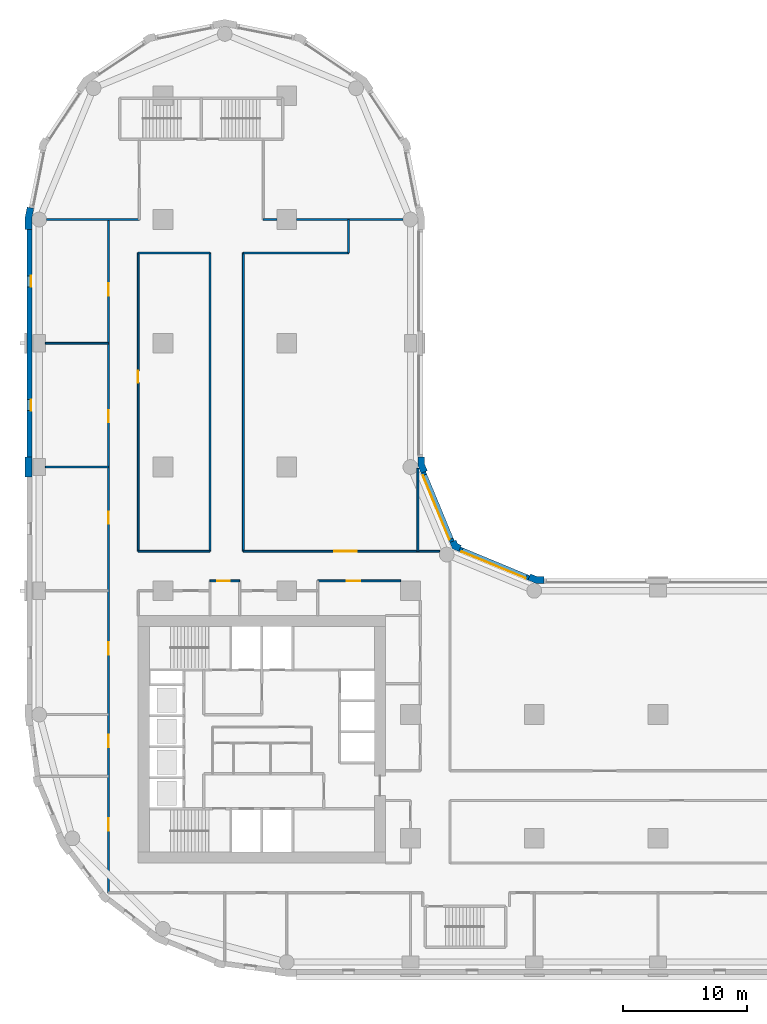
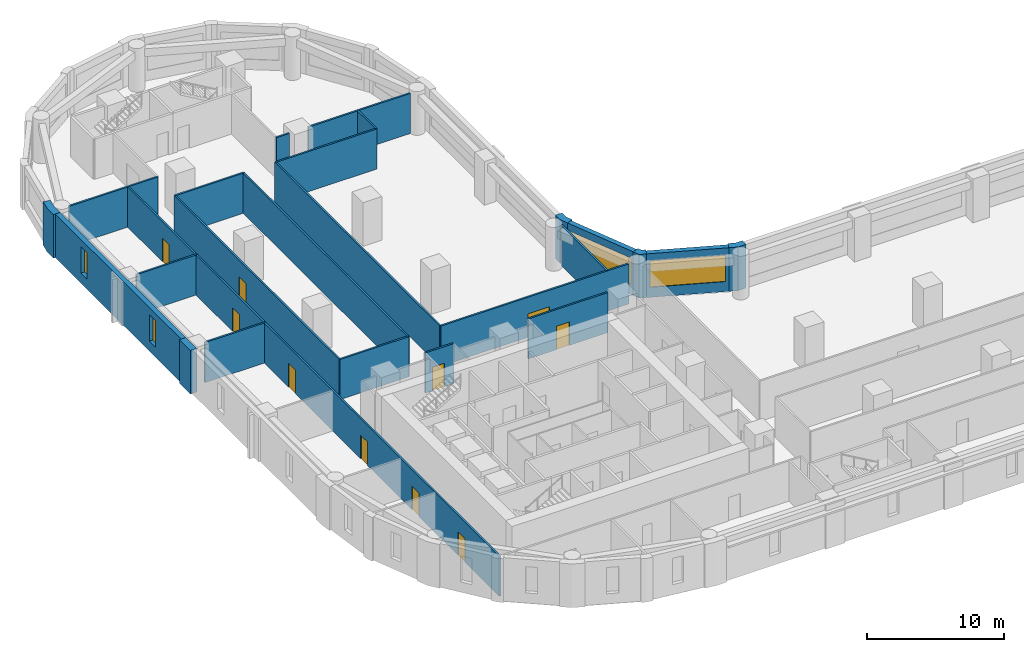
# One storey, part 5 of 10: 25 walls, 10 doors, 4 windows, 14 openings.
"""IFC4 building model written with IfcOpenShell, lengths in metres."""

import ifcopenshell
import ifcopenshell.guid

model = None  # the IFC model being written
_history = None  # IfcOwnerHistory: only IFC2X3 demands one
_inside = {}  # id of a spatial element -> (the spatial element, [elements in it])
_under = {}  # id of a project, library or spatial element -> (it, [spatial elements below it])
_declared = {}  # id of a project -> (the project, [libraries it declares])
_typed = {}  # id of a type object -> (the type object, [elements of that type])
_made_of = {}  # id of a material, layer set ... -> (it, [elements and type objects made of it])


def new_model(schema):
    """Start an empty IFC model of exactly this schema.

    Asked for "IFC4X3", IfcOpenShell would pick the latest addendum, in which some entities
    have other attributes; the version numbers below select the first issue.
    IFC2X3 requires an IfcOwnerHistory on every rooted entity: one is made here for all.
    """
    global model, _history
    if schema == "IFC4X3":
        model = ifcopenshell.file(schema_version=(4, 3, 0, 0))
    else:
        model = ifcopenshell.file(schema=schema)
    _inside.clear()
    _under.clear()
    _declared.clear()
    _typed.clear()
    _made_of.clear()
    _history = None
    if model.schema == "IFC2X3":
        org = make("IfcOrganization", Name="unknown")
        user = make(
            "IfcPersonAndOrganization",
            ThePerson=make("IfcPerson", FamilyName="unknown"),
            TheOrganization=org,
        )
        app = make(
            "IfcApplication",
            ApplicationDeveloper=org,
            Version="unknown",
            ApplicationFullName="unknown",
            ApplicationIdentifier="unknown",
        )
        _history = make(
            "IfcOwnerHistory",
            OwningUser=user,
            OwningApplication=app,
            ChangeAction="ADDED",
            CreationDate=0,
        )
    return model


def make(cls, **values):
    """One entity of the class cls with the attributes given. An attribute that is None is left unset."""
    return model.create_entity(
        cls, **{name: value for name, value in values.items() if value is not None}
    )


def rooted(cls, **values):
    """An entity with a GlobalId (a new one), such as an element, a storey or a relation."""
    return make(cls, GlobalId=ifcopenshell.guid.new(), OwnerHistory=_history, **values)


def si_unit(unit_type, name, prefix=None):
    """IfcSIUnit, for example si_unit("LENGTHUNIT", "METRE", prefix="MILLI")."""
    return make("IfcSIUnit", UnitType=unit_type, Prefix=prefix, Name=name)


def assignment(units):
    """IfcUnitAssignment: the units of a project."""
    return None if units is None else make("IfcUnitAssignment", Units=units)


def point(xyz):
    """IfcCartesianPoint."""
    return None if xyz is None else make("IfcCartesianPoint", Coordinates=xyz)


def direction(xyz):
    """IfcDirection."""
    return None if xyz is None else make("IfcDirection", DirectionRatios=xyz)


def frame(location, z_axis=None, x_axis=None):
    """IfcAxis2Placement3D, a coordinate frame: its origin and axes. An axis left out is left unset."""
    return make(
        "IfcAxis2Placement3D",
        Location=point(location),
        Axis=direction(z_axis),
        RefDirection=direction(x_axis),
    )


def frame_2d(location, x_axis=None):
    """IfcAxis2Placement2D, a coordinate frame in the plane: its origin and x axis."""
    return make(
        "IfcAxis2Placement2D", Location=point(location), RefDirection=direction(x_axis)
    )


def origin():
    """The frame at (0, 0, 0) with its axes left unset."""
    return frame((0.0, 0.0, 0.0))


def place(relative_to, where):
    """IfcLocalPlacement: puts the frame where relative to a parent placement (None: the world)."""
    return make(
        "IfcLocalPlacement", PlacementRelTo=relative_to, RelativePlacement=where
    )


def context(
    kind, dimensions, precision=None, world=None, true_north=None, identifier=None
):
    """IfcGeometricRepresentationContext, for example the 3D "Model" context."""
    return make(
        "IfcGeometricRepresentationContext",
        ContextIdentifier=identifier,
        ContextType=kind,
        CoordinateSpaceDimension=dimensions,
        Precision=precision,
        WorldCoordinateSystem=world,
        TrueNorth=true_north,
    )


def subcontext(parent, identifier, kind, view, scale=None):
    """IfcGeometricRepresentationSubContext, for example "Body" below "Model"."""
    return make(
        "IfcGeometricRepresentationSubContext",
        ContextIdentifier=identifier,
        ContextType=kind,
        ParentContext=parent,
        TargetScale=scale,
        TargetView=view,
    )


def project(units=None, contexts=None):
    """IfcProject with its units and contexts."""
    return rooted(
        "IfcProject",
        Name="project",
        RepresentationContexts=contexts,
        UnitsInContext=assignment(units),
    )


def spatial(cls, under=None, at=None, **own):
    """A site, building, storey or space (cls), placed at a placement, below another one or the project."""
    s = rooted(cls, ObjectPlacement=at, **own)
    if under is not None:
        _under.setdefault(under.id(), (under, []))[1].append(s)
    return s


def polyline(points):
    """IfcPolyline through the points."""
    return make("IfcPolyline", Points=[point(p) for p in points])


def profile(cls, at=None, kind="AREA", **sizes):
    """A parametric profile (cls). Its sizes go by their IFC names, for example OverallWidth=200.0."""
    return make(cls, ProfileType=kind, Position=at, **sizes)


def rectangle(**sizes):
    """IfcRectangleProfileDef."""
    return profile("IfcRectangleProfileDef", **sizes)


def outline(outer, holes=None, kind="AREA"):
    """IfcArbitraryClosedProfileDef: a profile drawn as a closed curve; with holes, ...WithVoids."""
    if holes is None:
        return make("IfcArbitraryClosedProfileDef", ProfileType=kind, OuterCurve=outer)
    return make(
        "IfcArbitraryProfileDefWithVoids",
        ProfileType=kind,
        OuterCurve=outer,
        InnerCurves=holes,
    )


def extrude(swept, where, along, depth):
    """IfcExtrudedAreaSolid: the profile swept, set in the frame where, extruded along a direction by depth."""
    return make(
        "IfcExtrudedAreaSolid",
        SweptArea=swept,
        Position=where,
        ExtrudedDirection=direction(along),
        Depth=depth,
    )


def shape(context_of_items, identifier, shape_type, items):
    """IfcShapeRepresentation: the items that make up one representation, for example the "Body"."""
    return make(
        "IfcShapeRepresentation",
        ContextOfItems=context_of_items,
        RepresentationIdentifier=identifier,
        RepresentationType=shape_type,
        Items=items,
    )


def material(Name=None, Category=None):
    """IfcMaterial."""
    return make("IfcMaterial", Name=Name, Category=Category)


def layer(
    of_material, thickness, ventilated=None, Name=None, Category=None, Priority=None
):
    """IfcMaterialLayer: one layer of a wall or slab, of a material (None: an air gap)."""
    return make(
        "IfcMaterialLayer",
        Material=of_material,
        LayerThickness=thickness,
        IsVentilated=ventilated,
        Name=Name,
        Category=Category,
        Priority=Priority,
    )


def layer_set(layers, Name=None):
    """IfcMaterialLayerSet."""
    return make("IfcMaterialLayerSet", MaterialLayers=layers, LayerSetName=Name)


def made_of(thing, what):
    """Note that an element or type object is made of a material, layer set ...; save() writes the relation."""
    if what is not None:
        _made_of.setdefault(what.id(), (what, []))[1].append(thing)
    return thing


def type_object(cls, material=None, **own):
    """A type object (cls), such as IfcWallType, which elements share."""
    return made_of(rooted(cls, **own), material)


def element(
    cls,
    number,
    at=None,
    inside=None,
    cuts=None,
    type_object=None,
    material=None,
    context=None,
    identifier="Body",
    shape_type=None,
    held_by="IfcProductDefinitionShape",
    body=None,
    shapes=None,
    **own,
):
    """One element of the class cls, such as IfcWall. Its Tag is "e" and its number.

    at: its placement. inside: the storey or other place that contains it. cuts: it is an
    opening in that element (IfcRelVoidsElement). A single representation is given by context,
    identifier, shape_type and body (its items); several are given by shapes. held_by: the class
    of the entity that holds the representations. save() writes the other relations.
    """
    e = rooted(cls, Tag="e%d" % number, ObjectPlacement=at, **own)
    if body is not None:
        shapes = [shape(context, identifier, shape_type, body)]
    if shapes is not None:
        e.Representation = make(held_by, Representations=shapes)
    if inside is not None:
        _inside.setdefault(inside.id(), (inside, []))[1].append(e)
    if cuts is not None:
        rooted(
            "IfcRelVoidsElement", RelatingBuildingElement=cuts, RelatedOpeningElement=e
        )
    if type_object is not None:
        _typed.setdefault(type_object.id(), (type_object, []))[1].append(e)
    return made_of(e, material)


def fill(opening, filler):
    """IfcRelFillsElement: the door or window that sits in an opening."""
    return rooted(
        "IfcRelFillsElement",
        RelatingOpeningElement=opening,
        RelatedBuildingElement=filler,
    )


def aggregate(whole, parts):
    """IfcRelAggregates: a whole, such as a stair, and the parts it consists of."""
    return rooted("IfcRelAggregates", RelatingObject=whole, RelatedObjects=parts)


def save(model, path):
    """Write the relations noted so far, then the file.

    IfcRelAggregates (storeys below a building ...), IfcRelContainedInSpatialStructure (elements
    in a storey), IfcRelDefinesByType, IfcRelAssociatesMaterial and IfcRelDeclares: one each for
    every whole, place, type object, material and project.
    """
    for whole, parts in _under.values():
        aggregate(whole, parts)
    for where, things in _inside.values():
        rooted(
            "IfcRelContainedInSpatialStructure",
            RelatedElements=things,
            RelatingStructure=where,
        )
    for kind, things in _typed.values():
        rooted("IfcRelDefinesByType", RelatedObjects=things, RelatingType=kind)
    for what, things in _made_of.values():
        rooted("IfcRelAssociatesMaterial", RelatedObjects=things, RelatingMaterial=what)
    for by, libraries in _declared.values():
        rooted("IfcRelDeclares", RelatingContext=by, RelatedDefinitions=libraries)
    model.write(path)


model = new_model("IFC4")

# Units and contexts
model_context = context("Model", 3, precision=1e-05, world=origin(), true_north=direction((0.0, 1.0)))
body_context = subcontext(model_context, "Body", "Model", "MODEL_VIEW")
ifc_project = project(units=[si_unit("LENGTHUNIT", "METRE"), si_unit("AREAUNIT", "SQUARE_METRE"), si_unit("VOLUMEUNIT", "CUBIC_METRE"), si_unit("PLANEANGLEUNIT", "RADIAN"), si_unit("MASSUNIT", "GRAM", prefix="KILO")], contexts=[model_context])

# Site, building, storey
site_placement = place(None, origin())
site = spatial("IfcSite", under=ifc_project, at=site_placement, CompositionType="ELEMENT")
building_placement = place(site_placement, origin())
building = spatial("IfcBuilding", under=site, at=building_placement, Name="Qaws Garden Tower", CompositionType="ELEMENT")
storey_placement = place(building_placement, frame((0.0, 0.0, 51.0)))
storey = spatial("IfcBuildingStorey", under=building, at=storey_placement, Name="L12", CompositionType="ELEMENT", Elevation=51.0)

# Wall, opening, window
ifc_material_1 = material(Name="Clay facing brick masonry", Category="masonry")
ifc_layer_1 = layer(ifc_material_1, 0.39990234375)
ifc_layer_set_1 = layer_set([ifc_layer_1], Name="Clay facing brick masonry")
wall_type_1 = type_object("IfcWallType", Name="Brick infill wall 400", PredefinedType="SOLIDWALL", material=ifc_layer_set_1)
wall_1_placement = place(storey_placement, frame((39.56689453125, 31.04541015625, 0.0), z_axis=(0.0, 0.0, 1.0), x_axis=(-0.923891000409, 0.382655745237, 0.0)))
wall_1 = element("IfcWall", 1, at=wall_1_placement, inside=storey, type_object=wall_type_1, Name="E-L12-infill-11", PredefinedType="SOLIDWALL", context=body_context, shape_type="SweptSolid", body=[
    extrude(rectangle(XDim=6.053466796875, YDim=0.39990234375, at=frame_2d((3.02685546875, 0.0))), origin(), (0.0, 0.0, 1.0), 3.89990234375),
])
opening_1_placement = place(wall_1_placement, frame((0.226806640625, 0.0, 0.89990234375)))
opening_1 = element("IfcOpeningElement", 2, at=opening_1_placement, cuts=wall_1, Name="Opening W04", PredefinedType="OPENING", context=body_context, shape_type="SweptSolid", body=[
    extrude(rectangle(XDim=5.60009765625, YDim=2.35009765625, at=frame_2d((2.800048828125, 1.175048828125))), frame((0.0, 0.2099609375, 0.0), z_axis=(0.0, -1.0, 0.0), x_axis=(1.0, 0.0, 0.0)), (0.0, 0.0, 1.0), 0.419921875),
])
ifc_material_2 = material(Name="Aluminium framed window, clear glazing", Category="aluminium")
window_type_1 = type_object("IfcWindowType", Name="Ribbon window 5600 x 2350", PartitioningType="DOUBLE_PANEL_VERTICAL", PredefinedType="WINDOW", material=ifc_material_2)
window_1_placement = place(opening_1_placement, origin())
window_1 = element("IfcWindow", 3, at=window_1_placement, inside=storey, type_object=window_type_1, Name="E-L12-window-11-0", OverallHeight=2.35009765625, OverallWidth=5.60009765625, PartitioningType="SINGLE_PANEL", PredefinedType="WINDOW", context=body_context, shape_type="SweptSolid", body=[
    extrude(rectangle(XDim=5.60009765625, YDim=2.35009765625, at=frame_2d((2.800048828125, 1.175048828125))), frame((0.0, 0.159912109375, 0.0), z_axis=(0.0, -1.0, 0.0), x_axis=(1.0, 0.0, 0.0)), (0.0, 0.0, 1.0), 0.06005859375),
])
fill(opening_1, window_1)

wall_2_placement = place(storey_placement, frame((33.36181640625, 33.97412109375, 0.0), z_axis=(0.0, 0.0, 1.0), x_axis=(-0.382655745237, 0.923891000409, 0.0)))
wall_2 = element("IfcWall", 4, at=wall_2_placement, inside=storey, type_object=wall_type_1, Name="E-L12-infill-12", PredefinedType="SOLIDWALL", context=body_context, shape_type="SweptSolid", body=[
    extrude(rectangle(XDim=6.053466796875, YDim=0.39990234375, at=frame_2d((3.02685546875, 0.0))), origin(), (0.0, 0.0, 1.0), 3.89990234375),
])
opening_2_placement = place(wall_2_placement, frame((0.226806640625, 0.0, 0.89990234375)))
opening_2 = element("IfcOpeningElement", 5, at=opening_2_placement, cuts=wall_2, Name="Opening W04", PredefinedType="OPENING", context=body_context, shape_type="SweptSolid", body=[
    extrude(rectangle(XDim=5.60009765625, YDim=2.35009765625, at=frame_2d((2.800048828125, 1.175048828125))), frame((0.0, 0.2099609375, 0.0), z_axis=(0.0, -1.0, 0.0), x_axis=(1.0, 0.0, 0.0)), (0.0, 0.0, 1.0), 0.419921875),
])
window_2_placement = place(opening_2_placement, origin())
window_2 = element("IfcWindow", 6, at=window_2_placement, inside=storey, type_object=window_type_1, Name="E-L12-window-12-0", OverallHeight=2.35009765625, OverallWidth=5.60009765625, PartitioningType="SINGLE_PANEL", PredefinedType="WINDOW", context=body_context, shape_type="SweptSolid", body=[
    extrude(rectangle(XDim=5.60009765625, YDim=2.35009765625, at=frame_2d((2.800048828125, 1.175048828125))), frame((0.0, 0.159912109375, 0.0), z_axis=(0.0, -1.0, 0.0), x_axis=(1.0, 0.0, 0.0)), (0.0, 0.0, 1.0), 0.06005859375),
])
fill(opening_2, window_2)

# Wall, openings, windows
wall_3_placement = place(storey_placement, frame((-0.800048828125, 59.199951171875, 0.0), z_axis=(0.0, 0.0, 1.0), x_axis=(0.0, -1.0, 0.0)))
wall_3 = element("IfcWall", 7, at=wall_3_placement, inside=storey, type_object=wall_type_1, Name="E-L12-infill-23", PredefinedType="SOLIDWALL", context=body_context, shape_type="SweptSolid", body=[
    extrude(rectangle(XDim=18.39990234375, YDim=0.39990234375, at=frame_2d((9.199951171875, 0.0))), origin(), (0.0, 0.0, 1.0), 3.89990234375),
])
opening_3_placement = place(wall_3_placement, frame((3.75, 0.0, 0.89990234375)))
opening_3 = element("IfcOpeningElement", 8, at=opening_3_placement, cuts=wall_3, Name="Opening W09", PredefinedType="OPENING", context=body_context, shape_type="SweptSolid", body=[
    extrude(rectangle(XDim=0.89990234375, YDim=2.35009765625, at=frame_2d((0.449951171875, 1.175048828125))), frame((0.0, 0.2099609375, 0.0), z_axis=(0.0, -1.0, 0.0), x_axis=(1.0, 0.0, 0.0)), (0.0, 0.0, 1.0), 0.419921875),
])
opening_4_placement = place(wall_3_placement, frame((13.75, 0.0, 0.89990234375)))
opening_4 = element("IfcOpeningElement", 9, at=opening_4_placement, cuts=wall_3, Name="Opening W09", PredefinedType="OPENING", context=body_context, shape_type="SweptSolid", body=[
    extrude(rectangle(XDim=0.89990234375, YDim=2.35009765625, at=frame_2d((0.449951171875, 1.175048828125))), frame((0.0, 0.2099609375, 0.0), z_axis=(0.0, -1.0, 0.0), x_axis=(1.0, 0.0, 0.0)), (0.0, 0.0, 1.0), 0.419921875),
])
ifc_material_3 = material(Name="Aluminium framed window, clear glazing", Category="aluminium")
window_type_2 = type_object("IfcWindowType", Name="Slit window 900 x 2350", PartitioningType="SINGLE_PANEL", PredefinedType="WINDOW", material=ifc_material_3)
window_3_placement = place(opening_3_placement, origin())
window_3 = element("IfcWindow", 10, at=window_3_placement, inside=storey, type_object=window_type_2, Name="E-L12-window-23-0", OverallHeight=2.35009765625, OverallWidth=0.89990234375, PartitioningType="SINGLE_PANEL", PredefinedType="WINDOW", context=body_context, shape_type="SweptSolid", body=[
    extrude(rectangle(XDim=0.89990234375, YDim=2.35009765625, at=frame_2d((0.449951171875, 1.175048828125))), frame((0.0, 0.159912109375, 0.0), z_axis=(0.0, -1.0, 0.0), x_axis=(1.0, 0.0, 0.0)), (0.0, 0.0, 1.0), 0.06005859375),
])
fill(opening_3, window_3)
window_4_placement = place(opening_4_placement, origin())
window_4 = element("IfcWindow", 11, at=window_4_placement, inside=storey, type_object=window_type_2, Name="E-L12-window-24-0", OverallHeight=2.35009765625, OverallWidth=0.89990234375, PartitioningType="SINGLE_PANEL", PredefinedType="WINDOW", context=body_context, shape_type="SweptSolid", body=[
    extrude(rectangle(XDim=0.89990234375, YDim=2.35009765625, at=frame_2d((0.449951171875, 1.175048828125))), frame((0.0, 0.159912109375, 0.0), z_axis=(0.0, -1.0, 0.0), x_axis=(1.0, 0.0, 0.0)), (0.0, 0.0, 1.0), 0.06005859375),
])
fill(opening_4, window_4)

# Walls
ifc_material_4 = material(Name="Clay facing brick masonry", Category="masonry")
ifc_layer_2 = layer(ifc_material_4, 0.550048828125)
ifc_layer_set_2 = layer_set([ifc_layer_2], Name="Clay facing brick masonry")
wall_type_2 = type_object("IfcWallType", Name="Brick pier 550 x 1600", PredefinedType="SOLIDWALL", material=ifc_layer_set_2)
placement = place(storey_placement, origin())
element("IfcWall", 12, at=placement, inside=storey, type_object=wall_type_2, Name="E-L12-pier-11", PredefinedType="SOLIDWALL", context=body_context, shape_type="SweptSolid", body=[
    extrude(outline(polyline([(40.800048828125, 31.0), (40.800048828125, 31.14990234375), (40.228759765625, 31.14990234375), (39.700927734375, 31.36865234375), (39.6435546875, 31.22998046875), (39.490478515625, 30.860595703125), (40.119384765625, 30.60009765625), (40.800048828125, 30.60009765625), (40.800048828125, 31.0)])), origin(), (0.0, 0.0, 1.0), 3.89990234375),
])
element("IfcWall", 13, at=placement, inside=storey, type_object=wall_type_2, Name="E-L12-pier-12", PredefinedType="SOLIDWALL", context=body_context, shape_type="SweptSolid", body=[
    extrude(outline(polyline([(34.05078125, 33.546630859375), (34.108154296875, 33.685302734375), (33.80908203125, 33.80908203125), (33.685302734375, 34.108154296875), (33.546630859375, 34.05078125), (33.177001953125, 33.897705078125), (33.38818359375, 33.38818359375), (33.897705078125, 33.177001953125), (34.05078125, 33.546630859375)])), origin(), (0.0, 0.0, 1.0), 3.89990234375),
])
element("IfcWall", 14, at=placement, inside=storey, type_object=wall_type_2, Name="E-L12-pier-13", PredefinedType="SOLIDWALL", context=body_context, shape_type="SweptSolid", body=[
    extrude(outline(polyline([(31.22998046875, 39.6435546875), (31.36865234375, 39.700927734375), (31.14990234375, 40.228759765625), (31.14990234375, 40.800048828125), (31.0, 40.800048828125), (30.60009765625, 40.800048828125), (30.60009765625, 40.119384765625), (30.860595703125, 39.490478515625), (31.22998046875, 39.6435546875)])), origin(), (0.0, 0.0, 1.0), 3.89990234375),
])
element("IfcWall", 15, at=placement, inside=storey, type_object=wall_type_2, Name="E-L12-pier-23", PredefinedType="SOLIDWALL", context=body_context, shape_type="SweptSolid", body=[
    extrude(outline(polyline([(-0.82470703125, 60.979736328125), (-0.971923828125, 61.009033203125), (-1.14990234375, 60.11328125), (-1.14990234375, 59.199951171875), (-1.0, 59.199951171875), (-0.60009765625, 59.199951171875), (-0.60009765625, 60.05908203125), (-0.432373046875, 60.901611328125), (-0.82470703125, 60.979736328125)])), origin(), (0.0, 0.0, 1.0), 3.89990234375),
])
element("IfcWall", 16, at=placement, inside=storey, type_object=wall_type_2, Name="E-L12-pier-25", PredefinedType="SOLIDWALL", context=body_context, shape_type="SweptSolid", body=[
    extrude(outline(polyline([(-1.0, 40.800048828125), (-1.14990234375, 40.800048828125), (-1.14990234375, 40.0), (-1.14990234375, 39.199951171875), (-1.0, 39.199951171875), (-0.60009765625, 39.199951171875), (-0.60009765625, 40.0), (-0.60009765625, 40.800048828125), (-1.0, 40.800048828125)])), origin(), (0.0, 0.0, 1.0), 3.89990234375),
])

# Wall, openings, doors
ifc_material_5 = material(Name="Gypsum board partition")
ifc_layer_3 = layer(ifc_material_5, 0.14990234375)
ifc_layer_set_3 = layer_set([ifc_layer_3], Name="Gypsum board partition")
wall_type_3 = type_object("IfcWallType", Name="PARTITION 150 EI 60", PredefinedType="PARTITIONING", material=ifc_layer_set_3)
wall_9_placement = place(storey_placement, frame((5.60009765625, 5.60009765625, 0.0), z_axis=(0.0, 0.0, 1.0), x_axis=(0.0, 1.0, 0.0)))
wall_9 = element("IfcWall", 17, at=wall_9_placement, inside=storey, type_object=wall_type_3, Name="O-L12-wall-001", PredefinedType="PARTITIONING", context=body_context, shape_type="SweptSolid", body=[
    extrude(rectangle(XDim=54.39990234375, YDim=0.14990234375, at=frame_2d((27.199951171875, 0.0))), origin(), (0.0, 0.0, 1.0), 3.580078125),
])
opening_5_placement = place(wall_9_placement, frame((5.0, 0.0, 0.0)))
opening_5 = element("IfcOpeningElement", 18, at=opening_5_placement, cuts=wall_9, Name="Opening A401", PredefinedType="OPENING", context=body_context, shape_type="SweptSolid", body=[
    extrude(rectangle(XDim=1.0, YDim=2.10009765625, at=frame_2d((0.5, 1.050048828125))), frame((0.0, 0.0849609375, 0.0), z_axis=(0.0, -1.0, 0.0), x_axis=(1.0, 0.0, 0.0)), (0.0, 0.0, 1.0), 0.169921875),
])
opening_6_placement = place(wall_9_placement, frame((11.75, 0.0, 0.0)))
opening_6 = element("IfcOpeningElement", 19, at=opening_6_placement, cuts=wall_9, Name="Opening A402", PredefinedType="OPENING", context=body_context, shape_type="SweptSolid", body=[
    extrude(rectangle(XDim=1.0, YDim=2.10009765625, at=frame_2d((0.5, 1.050048828125))), frame((0.0, 0.0849609375, 0.0), z_axis=(0.0, -1.0, 0.0), x_axis=(1.0, 0.0, 0.0)), (0.0, 0.0, 1.0), 0.169921875),
])
opening_7_placement = place(wall_9_placement, frame((19.25, 0.0, 0.0)))
opening_7 = element("IfcOpeningElement", 20, at=opening_7_placement, cuts=wall_9, Name="Opening A413", PredefinedType="OPENING", context=body_context, shape_type="SweptSolid", body=[
    extrude(rectangle(XDim=1.0, YDim=2.10009765625, at=frame_2d((0.5, 1.050048828125))), frame((0.0, 0.0849609375, 0.0), z_axis=(0.0, -1.0, 0.0), x_axis=(1.0, 0.0, 0.0)), (0.0, 0.0, 1.0), 0.169921875),
])
opening_8_placement = place(wall_9_placement, frame((29.800048828125, 0.0, 0.0)))
opening_8 = element("IfcOpeningElement", 21, at=opening_8_placement, cuts=wall_9, Name="Opening A418", PredefinedType="OPENING", context=body_context, shape_type="SweptSolid", body=[
    extrude(rectangle(XDim=1.0, YDim=2.10009765625, at=frame_2d((0.5, 1.050048828125))), frame((0.0, 0.0849609375, 0.0), z_axis=(0.0, -1.0, 0.0), x_axis=(1.0, 0.0, 0.0)), (0.0, 0.0, 1.0), 0.169921875),
])
opening_9_placement = place(wall_9_placement, frame((38.0, 0.0, 0.0)))
opening_9 = element("IfcOpeningElement", 22, at=opening_9_placement, cuts=wall_9, Name="Opening A419", PredefinedType="OPENING", context=body_context, shape_type="SweptSolid", body=[
    extrude(rectangle(XDim=1.0, YDim=2.10009765625, at=frame_2d((0.5, 1.050048828125))), frame((0.0, 0.0849609375, 0.0), z_axis=(0.0, -1.0, 0.0), x_axis=(1.0, 0.0, 0.0)), (0.0, 0.0, 1.0), 0.169921875),
])
opening_10_placement = place(wall_9_placement, frame((48.25, 0.0, 0.0)))
opening_10 = element("IfcOpeningElement", 23, at=opening_10_placement, cuts=wall_9, Name="Opening A420", PredefinedType="OPENING", context=body_context, shape_type="SweptSolid", body=[
    extrude(rectangle(XDim=1.0, YDim=2.10009765625, at=frame_2d((0.5, 1.050048828125))), frame((0.0, 0.0849609375, 0.0), z_axis=(0.0, -1.0, 0.0), x_axis=(1.0, 0.0, 0.0)), (0.0, 0.0, 1.0), 0.169921875),
])
ifc_material_6 = material(Name="Timber door leaf", Category="wood")
door_type_1 = type_object("IfcDoorType", Name="TENANCY ENTRANCE DOOR 1000 X 2100", OperationType="SINGLE_SWING_LEFT", PredefinedType="DOOR", material=ifc_material_6)
door_1_placement = place(opening_5_placement, origin())
door_1 = element("IfcDoor", 24, at=door_1_placement, inside=storey, type_object=door_type_1, Name="O-L12-door-001", OperationType="SINGLE_SWING_RIGHT", OverallHeight=2.10009765625, OverallWidth=1.0, PredefinedType="DOOR", context=body_context, shape_type="SweptSolid", body=[
    extrude(rectangle(XDim=1.0, YDim=2.10009765625, at=frame_2d((0.5, 1.050048828125))), frame((0.0, 0.02490234375, 0.0), z_axis=(0.0, -1.0, 0.0), x_axis=(1.0, 0.0, 0.0)), (0.0, 0.0, 1.0), 0.050048828125),
])
fill(opening_5, door_1)
door_2_placement = place(opening_6_placement, origin())
door_2 = element("IfcDoor", 25, at=door_2_placement, inside=storey, type_object=door_type_1, Name="O-L12-door-002", OperationType="SINGLE_SWING_RIGHT", OverallHeight=2.10009765625, OverallWidth=1.0, PredefinedType="DOOR", context=body_context, shape_type="SweptSolid", body=[
    extrude(rectangle(XDim=1.0, YDim=2.10009765625, at=frame_2d((0.5, 1.050048828125))), frame((0.0, 0.02490234375, 0.0), z_axis=(0.0, -1.0, 0.0), x_axis=(1.0, 0.0, 0.0)), (0.0, 0.0, 1.0), 0.050048828125),
])
fill(opening_6, door_2)
door_3_placement = place(opening_7_placement, origin())
door_3 = element("IfcDoor", 26, at=door_3_placement, inside=storey, type_object=door_type_1, Name="O-L12-door-013", OperationType="SINGLE_SWING_RIGHT", OverallHeight=2.10009765625, OverallWidth=1.0, PredefinedType="DOOR", context=body_context, shape_type="SweptSolid", body=[
    extrude(rectangle(XDim=1.0, YDim=2.10009765625, at=frame_2d((0.5, 1.050048828125))), frame((0.0, 0.02490234375, 0.0), z_axis=(0.0, -1.0, 0.0), x_axis=(1.0, 0.0, 0.0)), (0.0, 0.0, 1.0), 0.050048828125),
])
fill(opening_7, door_3)
door_4_placement = place(opening_8_placement, origin())
door_4 = element("IfcDoor", 27, at=door_4_placement, inside=storey, type_object=door_type_1, Name="O-L12-door-018", OperationType="SINGLE_SWING_LEFT", OverallHeight=2.10009765625, OverallWidth=1.0, PredefinedType="DOOR", context=body_context, shape_type="SweptSolid", body=[
    extrude(rectangle(XDim=1.0, YDim=2.10009765625, at=frame_2d((0.5, 1.050048828125))), frame((0.0, 0.02490234375, 0.0), z_axis=(0.0, -1.0, 0.0), x_axis=(1.0, 0.0, 0.0)), (0.0, 0.0, 1.0), 0.050048828125),
])
fill(opening_8, door_4)
door_5_placement = place(opening_9_placement, origin())
door_5 = element("IfcDoor", 28, at=door_5_placement, inside=storey, type_object=door_type_1, Name="O-L12-door-019", OperationType="SINGLE_SWING_LEFT", OverallHeight=2.10009765625, OverallWidth=1.0, PredefinedType="DOOR", context=body_context, shape_type="SweptSolid", body=[
    extrude(rectangle(XDim=1.0, YDim=2.10009765625, at=frame_2d((0.5, 1.050048828125))), frame((0.0, 0.02490234375, 0.0), z_axis=(0.0, -1.0, 0.0), x_axis=(1.0, 0.0, 0.0)), (0.0, 0.0, 1.0), 0.050048828125),
])
fill(opening_9, door_5)
door_6_placement = place(opening_10_placement, origin())
door_6 = element("IfcDoor", 29, at=door_6_placement, inside=storey, type_object=door_type_1, Name="O-L12-door-020", OperationType="SINGLE_SWING_LEFT", OverallHeight=2.10009765625, OverallWidth=1.0, PredefinedType="DOOR", context=body_context, shape_type="SweptSolid", body=[
    extrude(rectangle(XDim=1.0, YDim=2.10009765625, at=frame_2d((0.5, 1.050048828125))), frame((0.0, 0.02490234375, 0.0), z_axis=(0.0, -1.0, 0.0), x_axis=(1.0, 0.0, 0.0)), (0.0, 0.0, 1.0), 0.050048828125),
])
fill(opening_10, door_6)

# Wall, opening, door
wall_10_placement = place(storey_placement, frame((8.0, 33.199951171875, 0.0), z_axis=(0.0, 0.0, 1.0), x_axis=(0.0, 1.0, 0.0)))
wall_10 = element("IfcWall", 30, at=wall_10_placement, inside=storey, type_object=wall_type_3, Name="O-L12-wall-003", PredefinedType="PARTITIONING", context=body_context, shape_type="SweptSolid", body=[
    extrude(rectangle(XDim=24.10009765625, YDim=0.14990234375, at=frame_2d((12.050048828125, 0.0))), origin(), (0.0, 0.0, 1.0), 3.580078125),
])
opening_11_placement = place(wall_10_placement, frame((13.60009765625, 0.0, 0.0)))
opening_11 = element("IfcOpeningElement", 31, at=opening_11_placement, cuts=wall_10, Name="Opening A414", PredefinedType="OPENING", context=body_context, shape_type="SweptSolid", body=[
    extrude(rectangle(XDim=1.0, YDim=2.10009765625, at=frame_2d((0.5, 1.050048828125))), frame((0.0, 0.0849609375, 0.0), z_axis=(0.0, -1.0, 0.0), x_axis=(1.0, 0.0, 0.0)), (0.0, 0.0, 1.0), 0.169921875),
])
door_7_placement = place(opening_11_placement, frame((1.0, 0.0, 0.0), z_axis=(0.0, 0.0, 1.0), x_axis=(-1.0, 0.0, 0.0)))
door_7 = element("IfcDoor", 32, at=door_7_placement, inside=storey, type_object=door_type_1, Name="O-L12-door-014", OperationType="SINGLE_SWING_RIGHT", OverallHeight=2.10009765625, OverallWidth=1.0, PredefinedType="DOOR", context=body_context, shape_type="SweptSolid", body=[
    extrude(rectangle(XDim=1.0, YDim=2.10009765625, at=frame_2d((0.5, 1.050048828125))), frame((0.0, 0.02490234375, 0.0), z_axis=(0.0, -1.0, 0.0), x_axis=(1.0, 0.0, 0.0)), (0.0, 0.0, 1.0), 0.050048828125),
])
fill(opening_11, door_7)

# Walls
for number, where, z_axis, x_axis, name in (
    (33, (13.800048828125, 33.199951171875, 0.0), (0.0, 0.0, 1.0), (0.0, 1.0, 0.0), "O-L12-wall-006"),
    (34, (16.5, 33.199951171875, 0.0), (0.0, 0.0, 1.0), (0.0, 1.0, 0.0), "O-L12-wall-009"),
):
    element("IfcWall", number, at=place(storey_placement, frame(where, z_axis=z_axis, x_axis=x_axis)), inside=storey, type_object=wall_type_3, Name=name, PredefinedType="PARTITIONING", context=body_context, shape_type="SweptSolid", body=[
        extrude(rectangle(XDim=24.10009765625, YDim=0.14990234375, at=frame_2d((12.050048828125, 0.0))), origin(), (0.0, 0.0, 1.0), 3.580078125),
    ])
wall_11_placement = place(storey_placement, frame((25.0, 57.300048828125, 0.0), z_axis=(0.0, 0.0, 1.0), x_axis=(0.0, 1.0, 0.0)))
element("IfcWall", 35, at=wall_11_placement, inside=storey, type_object=wall_type_3, Name="O-L12-wall-013", PredefinedType="PARTITIONING", context=body_context, shape_type="SweptSolid", body=[
    extrude(rectangle(XDim=2.699951171875, YDim=0.14990234375, at=frame_2d((1.35009765625, 0.0))), origin(), (0.0, 0.0, 1.0), 3.580078125),
])
wall_12_placement = place(storey_placement, frame((30.60009765625, 33.199951171875, 0.0), z_axis=(0.0, 0.0, 1.0), x_axis=(0.0, 1.0, 0.0)))
element("IfcWall", 36, at=wall_12_placement, inside=storey, type_object=wall_type_3, Name="O-L12-wall-017", PredefinedType="PARTITIONING", context=body_context, shape_type="SweptSolid", body=[
    extrude(rectangle(XDim=6.698974609375, YDim=0.14990234375, at=frame_2d((3.349609375, 0.0))), origin(), (0.0, 0.0, 1.0), 3.580078125),
])

# Wall, opening, door
wall_13_placement = place(storey_placement, frame((13.800048828125, 30.800048828125, 0.0), z_axis=(0.0, 0.0, 1.0), x_axis=(1.0, 0.0, 0.0)))
wall_13 = element("IfcWall", 37, at=wall_13_placement, inside=storey, type_object=wall_type_3, Name="O-L12-wall-046", PredefinedType="PARTITIONING", context=body_context, shape_type="SweptSolid", body=[
    extrude(rectangle(XDim=2.39990234375, YDim=0.14990234375, at=frame_2d((1.199951171875, 0.0))), origin(), (0.0, 0.0, 1.0), 3.580078125),
])
opening_12_placement = place(wall_13_placement, frame((0.60009765625, 0.0, 0.0)))
opening_12 = element("IfcOpeningElement", 38, at=opening_12_placement, cuts=wall_13, Name="Opening A417", PredefinedType="OPENING", context=body_context, shape_type="SweptSolid", body=[
    extrude(rectangle(XDim=1.0, YDim=2.10009765625, at=frame_2d((0.5, 1.050048828125))), frame((0.0, 0.0849609375, 0.0), z_axis=(0.0, -1.0, 0.0), x_axis=(1.0, 0.0, 0.0)), (0.0, 0.0, 1.0), 0.169921875),
])
door_8_placement = place(opening_12_placement, frame((1.0, 0.0, 0.0), z_axis=(0.0, 0.0, 1.0), x_axis=(-1.0, 0.0, 0.0)))
door_8 = element("IfcDoor", 39, at=door_8_placement, inside=storey, type_object=door_type_1, Name="O-L12-door-017", OperationType="SINGLE_SWING_RIGHT", OverallHeight=2.10009765625, OverallWidth=1.0, PredefinedType="DOOR", context=body_context, shape_type="SweptSolid", body=[
    extrude(rectangle(XDim=1.0, YDim=2.10009765625, at=frame_2d((0.5, 1.050048828125))), frame((0.0, 0.02490234375, 0.0), z_axis=(0.0, -1.0, 0.0), x_axis=(1.0, 0.0, 0.0)), (0.0, 0.0, 1.0), 0.050048828125),
])
fill(opening_12, door_8)

wall_14_placement = place(storey_placement, frame((22.5, 30.800048828125, 0.0), z_axis=(0.0, 0.0, 1.0), x_axis=(1.0, 0.0, 0.0)))
wall_14 = element("IfcWall", 40, at=wall_14_placement, inside=storey, type_object=wall_type_3, Name="O-L12-wall-047", PredefinedType="PARTITIONING", context=body_context, shape_type="SweptSolid", body=[
    extrude(rectangle(XDim=6.699951171875, YDim=0.14990234375, at=frame_2d((3.35009765625, 0.0))), origin(), (0.0, 0.0, 1.0), 3.580078125),
])
opening_13_placement = place(wall_14_placement, frame((2.35009765625, 0.0, 0.0)))
opening_13 = element("IfcOpeningElement", 41, at=opening_13_placement, cuts=wall_14, Name="Opening A412", PredefinedType="OPENING", context=body_context, shape_type="SweptSolid", body=[
    extrude(rectangle(XDim=1.10009765625, YDim=2.10009765625, at=frame_2d((0.550048828125, 1.050048828125))), frame((0.0, 0.0849609375, 0.0), z_axis=(0.0, -1.0, 0.0), x_axis=(1.0, 0.0, 0.0)), (0.0, 0.0, 1.0), 0.169921875),
])
ifc_material_7 = material(Name="Timber door leaf", Category="wood")
door_type_2 = type_object("IfcDoorType", Name="SERVICE ROOM DOOR 1100 X 2100", OperationType="SINGLE_SWING_LEFT", PredefinedType="DOOR", material=ifc_material_7)
door_9_placement = place(opening_13_placement, frame((1.10009765625, 0.0, 0.0), z_axis=(0.0, 0.0, 1.0), x_axis=(-1.0, 0.0, 0.0)))
door_9 = element("IfcDoor", 42, at=door_9_placement, inside=storey, type_object=door_type_2, Name="O-L12-door-012", OperationType="SINGLE_SWING_LEFT", OverallHeight=2.10009765625, OverallWidth=1.10009765625, PredefinedType="DOOR", context=body_context, shape_type="SweptSolid", body=[
    extrude(rectangle(XDim=1.10009765625, YDim=2.10009765625, at=frame_2d((0.550048828125, 1.050048828125))), frame((0.0, 0.02490234375, 0.0), z_axis=(0.0, -1.0, 0.0), x_axis=(1.0, 0.0, 0.0)), (0.0, 0.0, 1.0), 0.050048828125),
])
fill(opening_13, door_9)

# Wall
wall_15_placement = place(storey_placement, frame((8.0, 33.199951171875, 0.0), z_axis=(0.0, 0.0, 1.0), x_axis=(1.0, 0.0, 0.0)))
element("IfcWall", 43, at=wall_15_placement, inside=storey, type_object=wall_type_3, Name="O-L12-wall-048", PredefinedType="PARTITIONING", context=body_context, shape_type="SweptSolid", body=[
    extrude(rectangle(XDim=5.800048828125, YDim=0.14990234375, at=frame_2d((2.89990234375, 0.0))), origin(), (0.0, 0.0, 1.0), 3.580078125),
])

# Wall, opening, door
wall_16_placement = place(storey_placement, frame((16.5, 33.199951171875, 0.0), z_axis=(0.0, 0.0, 1.0), x_axis=(1.0, 0.0, 0.0)))
wall_16 = element("IfcWall", 44, at=wall_16_placement, inside=storey, type_object=wall_type_3, Name="O-L12-wall-049", PredefinedType="PARTITIONING", context=body_context, shape_type="SweptSolid", body=[
    extrude(rectangle(XDim=15.862060546875, YDim=0.14990234375, at=frame_2d((7.93115234375, 0.0))), origin(), (0.0, 0.0, 1.0), 3.580078125),
])
opening_14_placement = place(wall_16_placement, frame((7.35009765625, 0.0, 0.0)))
opening_14 = element("IfcOpeningElement", 45, at=opening_14_placement, cuts=wall_16, Name="Opening A415", PredefinedType="OPENING", context=body_context, shape_type="SweptSolid", body=[
    extrude(rectangle(XDim=1.800048828125, YDim=2.10009765625, at=frame_2d((0.89990234375, 1.050048828125))), frame((0.0, 0.0849609375, 0.0), z_axis=(0.0, -1.0, 0.0), x_axis=(1.0, 0.0, 0.0)), (0.0, 0.0, 1.0), 0.169921875),
])
ifc_material_8 = material(Name="Timber door leaf", Category="wood")
door_type_3 = type_object("IfcDoorType", Name="DOUBLE DOOR 1800 X 2100", OperationType="DOUBLE_DOOR_SINGLE_SWING", PredefinedType="DOOR", material=ifc_material_8)
door_10_placement = place(opening_14_placement, origin())
door_10 = element("IfcDoor", 46, at=door_10_placement, inside=storey, type_object=door_type_3, Name="O-L12-door-015", OperationType="DOUBLE_DOOR_SINGLE_SWING", OverallHeight=2.10009765625, OverallWidth=1.800048828125, PredefinedType="DOOR", context=body_context, shape_type="SweptSolid", body=[
    extrude(rectangle(XDim=1.800048828125, YDim=2.10009765625, at=frame_2d((0.89990234375, 1.050048828125))), frame((0.0, 0.02490234375, 0.0), z_axis=(0.0, -1.0, 0.0), x_axis=(1.0, 0.0, 0.0)), (0.0, 0.0, 1.0), 0.050048828125),
])
fill(opening_14, door_10)

# Walls
for number, where, z_axis, x_axis, name in (
    (47, (0.5, 40.0, 0.0), (0.0, 0.0, 1.0), (1.0, 0.0, 0.0), "O-L12-wall-050"),
    (48, (0.5, 50.0, 0.0), (0.0, 0.0, 1.0), (1.0, 0.0, 0.0), "O-L12-wall-051"),
):
    element("IfcWall", number, at=place(storey_placement, frame(where, z_axis=z_axis, x_axis=x_axis)), inside=storey, type_object=wall_type_3, Name=name, PredefinedType="PARTITIONING", context=body_context, shape_type="SweptSolid", body=[
        extrude(rectangle(XDim=5.10009765625, YDim=0.14990234375, at=frame_2d((2.550048828125, 0.0))), origin(), (0.0, 0.0, 1.0), 3.580078125),
    ])
wall_17_placement = place(storey_placement, frame((8.0, 57.300048828125, 0.0), z_axis=(0.0, 0.0, 1.0), x_axis=(1.0, 0.0, 0.0)))
element("IfcWall", 49, at=wall_17_placement, inside=storey, type_object=wall_type_3, Name="O-L12-wall-052", PredefinedType="PARTITIONING", context=body_context, shape_type="SweptSolid", body=[
    extrude(rectangle(XDim=5.800048828125, YDim=0.14990234375, at=frame_2d((2.89990234375, 0.0))), origin(), (0.0, 0.0, 1.0), 3.580078125),
])
wall_18_placement = place(storey_placement, frame((16.5, 57.300048828125, 0.0), z_axis=(0.0, 0.0, 1.0), x_axis=(1.0, 0.0, 0.0)))
element("IfcWall", 50, at=wall_18_placement, inside=storey, type_object=wall_type_3, Name="O-L12-wall-053", PredefinedType="PARTITIONING", context=body_context, shape_type="SweptSolid", body=[
    extrude(rectangle(XDim=8.5, YDim=0.14990234375, at=frame_2d((4.25, 0.0))), origin(), (0.0, 0.0, 1.0), 3.580078125),
])
wall_19_placement = place(storey_placement, frame((0.60009765625, 60.0, 0.0), z_axis=(0.0, 0.0, 1.0), x_axis=(1.0, 0.0, 0.0)))
element("IfcWall", 51, at=wall_19_placement, inside=storey, type_object=wall_type_3, Name="O-L12-wall-054", PredefinedType="PARTITIONING", context=body_context, shape_type="SweptSolid", body=[
    extrude(rectangle(XDim=7.5, YDim=0.14990234375, at=frame_2d((3.75, 0.0))), origin(), (0.0, 0.0, 1.0), 3.580078125),
])
wall_20_placement = place(storey_placement, frame((18.10009765625, 60.0, 0.0), z_axis=(0.0, 0.0, 1.0), x_axis=(1.0, 0.0, 0.0)))
element("IfcWall", 52, at=wall_20_placement, inside=storey, type_object=wall_type_3, Name="O-L12-wall-055", PredefinedType="PARTITIONING", context=body_context, shape_type="SweptSolid", body=[
    extrude(rectangle(XDim=1.099853515625, YDim=0.14990234375, at=frame_2d((0.5498046875, 0.0))), origin(), (0.0, 0.0, 1.0), 3.580078125),
])
wall_21_placement = place(storey_placement, frame((20.800048828125, 60.0, 0.0), z_axis=(0.0, 0.0, 1.0), x_axis=(1.0, 0.0, 0.0)))
element("IfcWall", 53, at=wall_21_placement, inside=storey, type_object=wall_type_3, Name="O-L12-wall-056", PredefinedType="PARTITIONING", context=body_context, shape_type="SweptSolid", body=[
    extrude(rectangle(XDim=8.599853515625, YDim=0.14990234375, at=frame_2d((4.2998046875, 0.0))), origin(), (0.0, 0.0, 1.0), 3.580078125),
])

save(model, "model.ifc")
